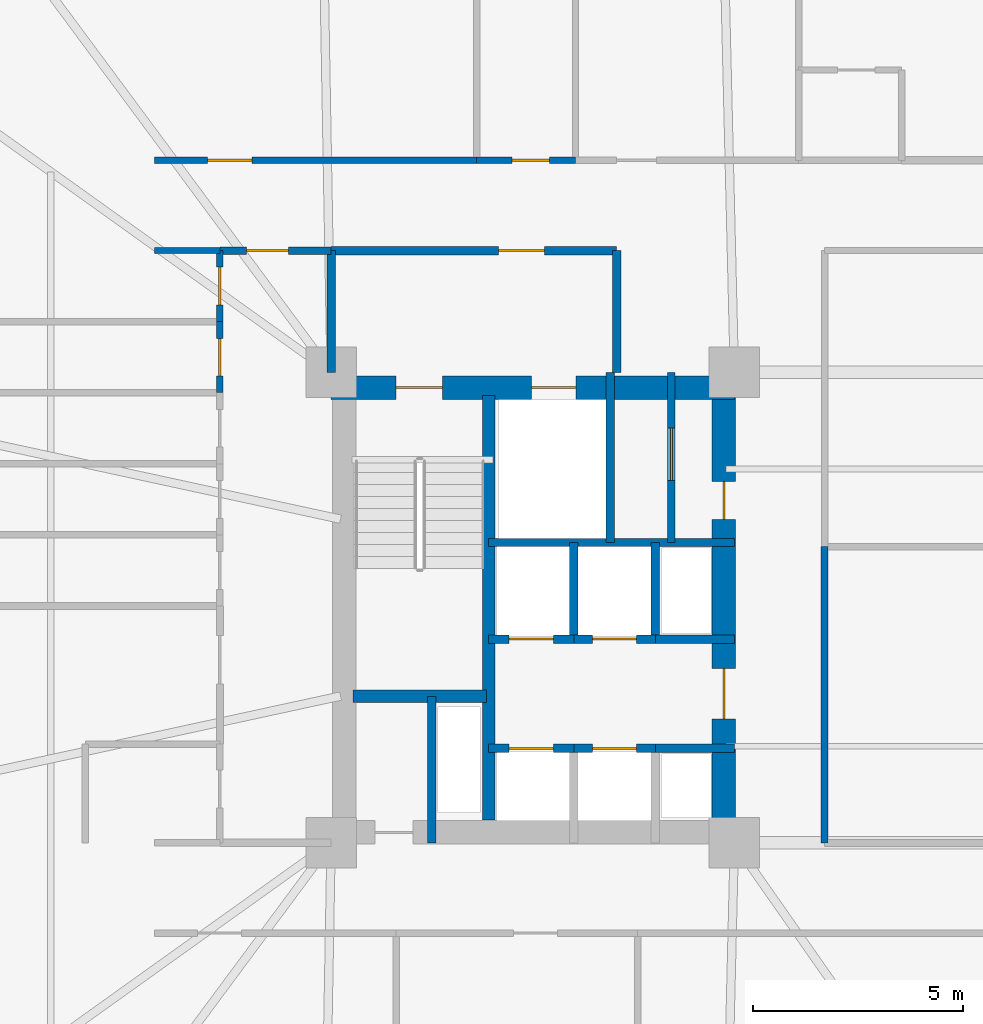
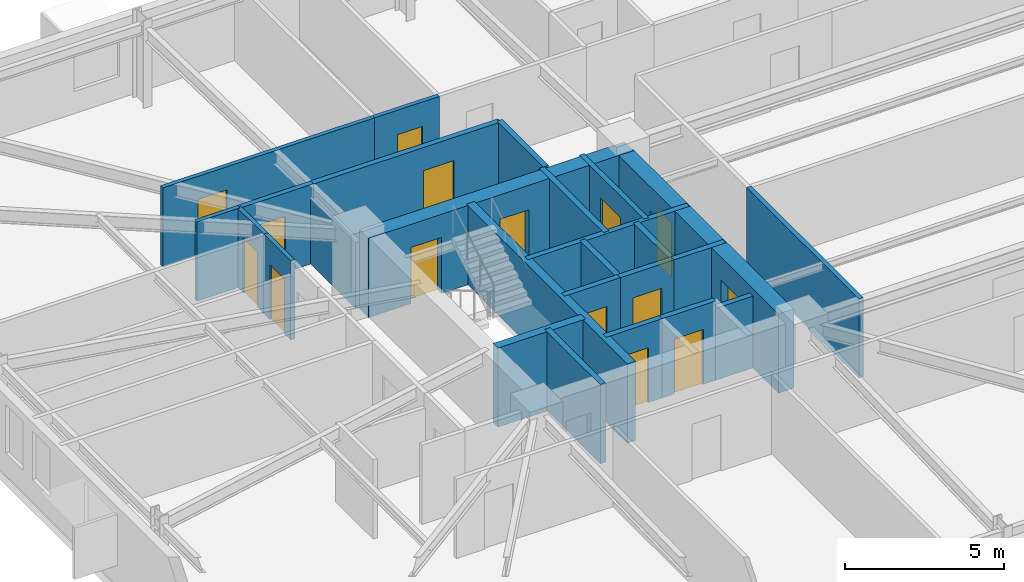
# One storey, part 19 of 24: 26 walls, 15 doors, 15 openings.
"""IFC4 building model written with IfcOpenShell, lengths in metres."""

from ifc_helpers import new_model, si_unit, direction, frame, frame_2d, origin, place, context, subcontext, project, spatial, rectangle, extrude, material, layer, layer_set, type_object, element, fill, save


model = new_model("IFC4")

# Units and contexts
model_context = context("Model", 3, precision=1e-05, world=origin(), true_north=direction((0.0, 1.0)))
body_context = subcontext(model_context, "Body", "Model", "MODEL_VIEW")
ifc_project = project(units=[si_unit("LENGTHUNIT", "METRE"), si_unit("AREAUNIT", "SQUARE_METRE"), si_unit("VOLUMEUNIT", "CUBIC_METRE"), si_unit("PLANEANGLEUNIT", "RADIAN"), si_unit("MASSUNIT", "GRAM", prefix="KILO")], contexts=[model_context])

# Site, building, storey
site_placement = place(None, origin())
site = spatial("IfcSite", under=ifc_project, at=site_placement, CompositionType="ELEMENT")
building_placement = place(site_placement, origin())
building = spatial("IfcBuilding", under=site, at=building_placement, Name="Qobustan Lattice House", CompositionType="ELEMENT")
storey_placement = place(building_placement, frame((0.0, 0.0, 50.449951171875)))
storey = spatial("IfcBuildingStorey", under=building, at=storey_placement, Name="L13", CompositionType="ELEMENT", Elevation=50.449951171875)

# Wall, openings, doors
ifc_material_1 = material(Name="Concrete C60/75", Category="concrete")
ifc_layer_1 = layer(ifc_material_1, 0.56005859375)
ifc_layer_set_1 = layer_set([ifc_layer_1], Name="Concrete C60/75")
wall_type_1 = type_object("IfcWallType", Name="WAL-CORE-600", PredefinedType="SHEAR", material=ifc_layer_set_1)
wall_1_placement = place(storey_placement, frame((-18.800048828125, 5.239990234375, 0.0), z_axis=(0.0, 0.0, 1.0), x_axis=(1.0, 0.0, 0.0)))
wall_1 = element("IfcWall", 1, at=wall_1_placement, inside=storey, type_object=wall_type_1, Name="L13 split-core shear wall CW-N", PredefinedType="SHEAR", context=body_context, shape_type="SweptSolid", body=[
    extrude(rectangle(XDim=9.60009765625, YDim=0.56005859375, at=frame_2d((4.800048828125, 0.0))), origin(), (0.0, 0.0, 1.0), 3.03515625),
])
opening_1_placement = place(wall_1_placement, frame((1.550048828125, 0.0, 0.0)))
opening_1 = element("IfcOpeningElement", 2, at=opening_1_placement, cuts=wall_1, Name="Opening SD-01", PredefinedType="OPENING", context=body_context, shape_type="SweptSolid", body=[
    extrude(rectangle(XDim=1.10009765625, YDim=2.14990234375, at=frame_2d((0.550048828125, 1.074951171875))), frame((0.0, 0.2900390625, 0.0), z_axis=(0.0, -1.0, 0.0), x_axis=(1.0, 0.0, 0.0)), (0.0, 0.0, 1.0), 0.580078125),
])
opening_2_placement = place(wall_1_placement, frame((4.77490234375, 0.0, 0.0)))
opening_2 = element("IfcOpeningElement", 3, at=opening_2_placement, cuts=wall_1, Name="Opening LD-01", PredefinedType="OPENING", context=body_context, shape_type="SweptSolid", body=[
    extrude(rectangle(XDim=1.050048828125, YDim=2.10009765625, at=frame_2d((0.52490234375, 1.050048828125))), frame((0.0, 0.2900390625, 0.0), z_axis=(0.0, -1.0, 0.0), x_axis=(1.0, 0.0, 0.0)), (0.0, 0.0, 1.0), 0.580078125),
])
ifc_material_2 = material(Name="Persian walnut timber and steel frame door", Category="steel")
door_type_1 = type_object("IfcDoorType", Name="DOR-LIFT-LD-1050x2100", OperationType="NOTDEFINED", PredefinedType="DOOR", material=ifc_material_2)
door_1_placement = place(opening_2_placement, origin())
door_1 = element("IfcDoor", 4, at=door_1_placement, inside=storey, type_object=door_type_1, Name="L13 firefighting lift FF-W landing door", OperationType="DOUBLE_DOOR_SLIDING", OverallHeight=2.10009765625, OverallWidth=1.050048828125, PredefinedType="DOOR", context=body_context, shape_type="SweptSolid", body=[
    extrude(rectangle(XDim=1.050048828125, YDim=2.10009765625, at=frame_2d((0.52490234375, 1.050048828125))), frame((0.0, 0.02490234375, 0.0), z_axis=(0.0, -1.0, 0.0), x_axis=(1.0, 0.0, 0.0)), (0.0, 0.0, 1.0), 0.050048828125),
])
fill(opening_2, door_1)
ifc_material_3 = material(Name="Persian walnut timber and steel frame door", Category="steel")
door_type_2 = type_object("IfcDoorType", Name="DOR-STAIR-FD-1100x2150", OperationType="NOTDEFINED", PredefinedType="DOOR", material=ifc_material_3)
door_2_placement = place(opening_1_placement, origin())
door_2 = element("IfcDoor", 5, at=door_2_placement, inside=storey, type_object=door_type_2, Name="L13 exit stair ST-W1 fire door", OperationType="SINGLE_SWING_RIGHT", OverallHeight=2.14990234375, OverallWidth=1.10009765625, PredefinedType="DOOR", context=body_context, shape_type="SweptSolid", body=[
    extrude(rectangle(XDim=1.10009765625, YDim=2.14990234375, at=frame_2d((0.550048828125, 1.074951171875))), frame((0.0, 0.02490234375, 0.0), z_axis=(0.0, -1.0, 0.0), x_axis=(1.0, 0.0, 0.0)), (0.0, 0.0, 1.0), 0.050048828125),
])
fill(opening_1, door_2)

wall_2_placement = place(storey_placement, frame((-9.449951171875, -5.050048828125, 0.0), z_axis=(0.0, 0.0, 1.0), x_axis=(0.0, 1.0, 0.0)))
wall_2 = element("IfcWall", 6, at=wall_2_placement, inside=storey, type_object=wall_type_1, Name="L13 split-core shear wall CW-E", PredefinedType="SHEAR", context=body_context, shape_type="SweptSolid", body=[
    extrude(rectangle(XDim=10.10009765625, YDim=0.56005859375, at=frame_2d((5.050048828125, 0.0))), origin(), (0.0, 0.0, 1.0), 3.03515625),
])
opening_3_placement = place(wall_2_placement, frame((7.14990234375, 0.0, 0.0)))
opening_3 = element("IfcOpeningElement", 7, at=opening_3_placement, cuts=wall_2, Name="Opening RD-01", PredefinedType="OPENING", context=body_context, shape_type="SweptSolid", body=[
    extrude(rectangle(XDim=0.89990234375, YDim=2.10009765625, at=frame_2d((0.449951171875, 1.050048828125))), frame((0.0, 0.2900390625, 0.0), z_axis=(0.0, -1.0, 0.0), x_axis=(1.0, 0.0, 0.0)), (0.0, 0.0, 1.0), 0.580078125),
])
opening_4_placement = place(wall_2_placement, frame((2.39990234375, 0.0, 0.0)))
opening_4 = element("IfcOpeningElement", 8, at=opening_4_placement, cuts=wall_2, Name="Opening FD-01", PredefinedType="OPENING", context=body_context, shape_type="SweptSolid", body=[
    extrude(rectangle(XDim=1.199951171875, YDim=2.14990234375, at=frame_2d((0.60009765625, 1.074951171875))), frame((0.0, 0.2900390625, 0.0), z_axis=(0.0, -1.0, 0.0), x_axis=(1.0, 0.0, 0.0)), (0.0, 0.0, 1.0), 0.580078125),
])
ifc_material_4 = material(Name="Persian walnut timber and steel frame door", Category="steel")
door_type_3 = type_object("IfcDoorType", Name="DOR-LOBBY-FD-1200x2150", OperationType="NOTDEFINED", PredefinedType="DOOR", material=ifc_material_4)
door_3_placement = place(opening_4_placement, origin())
door_3 = element("IfcDoor", 9, at=door_3_placement, inside=storey, type_object=door_type_3, Name="L13 West passenger lift lobby fire door", OperationType="SINGLE_SWING_LEFT", OverallHeight=2.14990234375, OverallWidth=1.199951171875, PredefinedType="DOOR", context=body_context, shape_type="SweptSolid", body=[
    extrude(rectangle(XDim=1.199951171875, YDim=2.14990234375, at=frame_2d((0.60009765625, 1.074951171875))), frame((0.0, 0.02490234375, 0.0), z_axis=(0.0, -1.0, 0.0), x_axis=(1.0, 0.0, 0.0)), (0.0, 0.0, 1.0), 0.050048828125),
])
fill(opening_4, door_3)
ifc_material_5 = material(Name="Persian walnut timber and steel frame door", Category="steel")
door_type_4 = type_object("IfcDoorType", Name="DOR-RISER-FD-900x2100", OperationType="NOTDEFINED", PredefinedType="DOOR", material=ifc_material_5)
door_4_placement = place(opening_3_placement, origin())
door_4 = element("IfcDoor", 10, at=door_4_placement, inside=storey, type_object=door_type_4, Name="L13 Data comms closet fire door", OperationType="SINGLE_SWING_RIGHT", OverallHeight=2.10009765625, OverallWidth=0.89990234375, PredefinedType="DOOR", context=body_context, shape_type="SweptSolid", body=[
    extrude(rectangle(XDim=0.89990234375, YDim=2.10009765625, at=frame_2d((0.449951171875, 1.050048828125))), frame((0.0, 0.02490234375, 0.0), z_axis=(0.0, -1.0, 0.0), x_axis=(1.0, 0.0, 0.0)), (0.0, 0.0, 1.0), 0.050048828125),
])
fill(opening_3, door_4)

# Walls
ifc_material_6 = material(Name="Concrete C50/60", Category="concrete")
ifc_layer_2 = layer(ifc_material_6, 0.280029296875)
ifc_layer_set_2 = layer_set([ifc_layer_2], Name="Concrete C50/60")
wall_type_2 = type_object("IfcWallType", Name="WAL-CORE-SPINE-280", PredefinedType="SHEAR", material=ifc_layer_set_2)
wall_3_placement = place(storey_placement, frame((-15.050048828125, -5.050048828125, 0.0), z_axis=(0.0, 0.0, 1.0), x_axis=(0.0, 1.0, 0.0)))
element("IfcWall", 11, at=wall_3_placement, inside=storey, type_object=wall_type_2, Name="L13 split-core shear wall CW-M", PredefinedType="SHEAR", context=body_context, shape_type="SweptSolid", body=[
    extrude(rectangle(XDim=10.10009765625, YDim=0.300048828125, at=frame_2d((5.050048828125, 0.0))), origin(), (0.0, 0.0, 1.0), 3.03515625),
])
wall_4_placement = place(storey_placement, frame((-18.280029296875, -2.110107421875, 0.0), z_axis=(0.0, 0.0, 1.0), x_axis=(1.0, 0.0, 0.0)))
element("IfcWall", 12, at=wall_4_placement, inside=storey, type_object=wall_type_2, Name="L13 split-core shear wall CW-ST", PredefinedType="SHEAR", context=body_context, shape_type="SweptSolid", body=[
    extrude(rectangle(XDim=3.179931640625, YDim=0.300048828125, at=frame_2d((1.58984375, 0.0))), origin(), (0.0, 0.0, 1.0), 3.03515625),
])

# Wall, opening, door
ifc_material_7 = material(Name="Gypsum fireboard acoustic partition", Category="gypsum")
ifc_layer_3 = layer(ifc_material_7, 0.179931640625)
ifc_layer_set_3 = layer_set([ifc_layer_3], Name="Gypsum fireboard acoustic partition")
wall_type_3 = type_object("IfcWallType", Name="WAL-FIRE-180", PredefinedType="PARTITIONING", material=ifc_layer_set_3)
wall_5_placement = place(storey_placement, frame((-10.699951171875, 5.60009765625, 0.0), z_axis=(0.0, 0.0, 1.0), x_axis=(0.0, -1.0, 0.0)))
wall_5 = element("IfcWall", 13, at=wall_5_placement, inside=storey, type_object=wall_type_3, Name="L13 interior partition 6", PredefinedType="PARTITIONING", context=body_context, shape_type="SweptSolid", body=[
    extrude(rectangle(XDim=4.050048828125, YDim=0.179931640625, at=frame_2d((2.02490234375, 0.0))), origin(), (0.0, 0.0, 1.0), 3.03515625),
])
opening_5_placement = place(wall_5_placement, frame((1.324951171875, 0.0, 0.0)))
opening_5 = element("IfcOpeningElement", 14, at=opening_5_placement, cuts=wall_5, Name="Opening FD-03", PredefinedType="OPENING", context=body_context, shape_type="SweptSolid", body=[
    extrude(rectangle(XDim=1.25, YDim=2.199951171875, at=frame_2d((0.625, 1.10009765625))), frame((0.0, 0.099853515625, 0.0), z_axis=(0.0, -1.0, 0.0), x_axis=(1.0, 0.0, 0.0)), (0.0, 0.0, 1.0), 0.199951171875),
])
ifc_material_8 = material(Name="Persian walnut timber and steel frame door", Category="steel")
door_type_5 = type_object("IfcDoorType", Name="DOR-PLANT-1250x2200", OperationType="NOTDEFINED", PredefinedType="DOOR", material=ifc_material_8)
door_5_placement = place(opening_5_placement, origin())
door_5 = element("IfcDoor", 15, at=door_5_placement, inside=storey, type_object=door_type_5, Name="L13 Data comms closet to Linen store door", OperationType="SINGLE_SWING_LEFT", OverallHeight=2.199951171875, OverallWidth=1.25, PredefinedType="DOOR", context=body_context, shape_type="SweptSolid", body=[
    extrude(rectangle(XDim=1.25, YDim=2.199951171875, at=frame_2d((0.625, 1.10009765625))), frame((0.0, 0.02490234375, 0.0), z_axis=(0.0, -1.0, 0.0), x_axis=(1.0, 0.0, 0.0)), (0.0, 0.0, 1.0), 0.050048828125),
])
fill(opening_5, door_5)

wall_6_placement = place(storey_placement, frame((-18.800048828125, 8.5, 0.0), z_axis=(0.0, 0.0, 1.0), x_axis=(-1.0, 0.0, 0.0)))
wall_6 = element("IfcWall", 16, at=wall_6_placement, inside=storey, type_object=wall_type_3, Name="L13 interior partition 38", PredefinedType="PARTITIONING", context=body_context, shape_type="SweptSolid", body=[
    extrude(rectangle(XDim=2.64990234375, YDim=0.179931640625, at=frame_2d((1.324951171875, 0.0))), origin(), (0.0, 0.0, 1.0), 3.03515625),
])
opening_6_placement = place(wall_6_placement, frame((1.0087890625, 0.0, 0.0)))
opening_6 = element("IfcOpeningElement", 17, at=opening_6_placement, cuts=wall_6, Name="Opening FD-02", PredefinedType="OPENING", context=body_context, shape_type="SweptSolid", body=[
    extrude(rectangle(XDim=1.0, YDim=2.14990234375, at=frame_2d((0.5, 1.074951171875))), frame((0.0, 0.099853515625, 0.0), z_axis=(0.0, -1.0, 0.0), x_axis=(1.0, 0.0, 0.0)), (0.0, 0.0, 1.0), 0.199951171875),
])
ifc_material_9 = material(Name="Persian walnut timber and steel frame door", Category="steel")
door_type_6 = type_object("IfcDoorType", Name="DOR-UNIT-FD-1000x2150", OperationType="NOTDEFINED", PredefinedType="DOOR", material=ifc_material_9)
door_6_placement = place(opening_6_placement, origin())
door_6 = element("IfcDoor", 18, at=door_6_placement, inside=storey, type_object=door_type_6, Name="L13 North-west floor corridor to Residence entrance hall L13W door", OperationType="SINGLE_SWING_RIGHT", OverallHeight=2.14990234375, OverallWidth=1.0, PredefinedType="DOOR", context=body_context, shape_type="SweptSolid", body=[
    extrude(rectangle(XDim=1.0, YDim=2.14990234375, at=frame_2d((0.5, 1.074951171875))), frame((0.0, 0.02490234375, 0.0), z_axis=(0.0, -1.0, 0.0), x_axis=(1.0, 0.0, 0.0)), (0.0, 0.0, 1.0), 0.050048828125),
])
fill(opening_6, door_6)

# Wall
ifc_material_10 = material(Name="Acoustic twin-stud gypsum partition", Category="gypsum")
ifc_layer_4 = layer(ifc_material_10, 0.14990234375)
ifc_layer_set_4 = layer_set([ifc_layer_4], Name="Acoustic twin-stud gypsum partition")
wall_type_4 = type_object("IfcWallType", Name="WAL-PART-150", PredefinedType="PARTITIONING", material=ifc_layer_set_4)
wall_7_placement = place(storey_placement, frame((-21.449951171875, 8.5, 0.0), z_axis=(0.0, 0.0, 1.0), x_axis=(-1.0, 0.0, 0.0)))
element("IfcWall", 19, at=wall_7_placement, inside=storey, type_object=wall_type_4, Name="L13 interior partition 39", PredefinedType="PARTITIONING", context=body_context, shape_type="SweptSolid", body=[
    extrude(rectangle(XDim=1.550048828125, YDim=0.14990234375, at=frame_2d((0.77490234375, 0.0))), origin(), (0.0, 0.0, 1.0), 3.03515625),
])

# Wall, opening, door
wall_8_placement = place(storey_placement, frame((-23.0, 10.64990234375, 0.0), z_axis=(0.0, 0.0, 1.0), x_axis=(1.0, 0.0, 0.0)))
wall_8 = element("IfcWall", 20, at=wall_8_placement, inside=storey, type_object=wall_type_4, Name="L13 interior partition 40", PredefinedType="PARTITIONING", context=body_context, shape_type="SweptSolid", body=[
    extrude(rectangle(XDim=7.6669921875, YDim=0.14990234375, at=frame_2d((3.83349609375, 0.0))), origin(), (0.0, 0.0, 1.0), 3.03515625),
])
opening_7_placement = place(wall_8_placement, frame((1.26220703125, 0.0, 0.0)))
opening_7 = element("IfcOpeningElement", 21, at=opening_7_placement, cuts=wall_8, Name="Opening ID-02", PredefinedType="OPENING", context=body_context, shape_type="SweptSolid", body=[
    extrude(rectangle(XDim=1.050048828125, YDim=2.14990234375, at=frame_2d((0.52490234375, 1.074951171875))), frame((0.0, 0.0849609375, 0.0), z_axis=(0.0, -1.0, 0.0), x_axis=(1.0, 0.0, 0.0)), (0.0, 0.0, 1.0), 0.169921875),
])
ifc_material_11 = material(Name="Persian walnut timber and steel frame door", Category="steel")
door_type_7 = type_object("IfcDoorType", Name="DOR-STUDY-1050x2150", OperationType="NOTDEFINED", PredefinedType="DOOR", material=ifc_material_11)
door_7_placement = place(opening_7_placement, origin())
door_7 = element("IfcDoor", 22, at=door_7_placement, inside=storey, type_object=door_type_7, Name="L13 North-west floor corridor to Focus study room N1 door", OperationType="SINGLE_SWING_LEFT", OverallHeight=2.14990234375, OverallWidth=1.050048828125, PredefinedType="DOOR", context=body_context, shape_type="SweptSolid", body=[
    extrude(rectangle(XDim=1.050048828125, YDim=2.14990234375, at=frame_2d((0.52490234375, 1.074951171875))), frame((0.0, 0.02490234375, 0.0), z_axis=(0.0, -1.0, 0.0), x_axis=(1.0, 0.0, 0.0)), (0.0, 0.0, 1.0), 0.050048828125),
])
fill(opening_7, door_7)

wall_9_placement = place(storey_placement, frame((-21.449951171875, 5.115966796875, 0.0), z_axis=(0.0, 0.0, 1.0), x_axis=(0.0, 1.0, 0.0)))
wall_9 = element("IfcWall", 23, at=wall_9_placement, inside=storey, type_object=wall_type_4, Name="L13 interior partition 75", PredefinedType="PARTITIONING", context=body_context, shape_type="SweptSolid", body=[
    extrude(rectangle(XDim=1.692138671875, YDim=0.14990234375, at=frame_2d((0.84619140625, 0.0))), origin(), (0.0, 0.0, 1.0), 3.03515625),
])
opening_8_placement = place(wall_9_placement, frame((0.39599609375, 0.0, 0.0)))
opening_8 = element("IfcOpeningElement", 24, at=opening_8_placement, cuts=wall_9, Name="Opening WD-01", PredefinedType="OPENING", context=body_context, shape_type="SweptSolid", body=[
    extrude(rectangle(XDim=0.89990234375, YDim=2.10009765625, at=frame_2d((0.449951171875, 1.050048828125))), frame((0.0, 0.0849609375, 0.0), z_axis=(0.0, -1.0, 0.0), x_axis=(1.0, 0.0, 0.0)), (0.0, 0.0, 1.0), 0.169921875),
])
ifc_material_12 = material(Name="Persian walnut timber and steel frame door", Category="steel")
door_type_8 = type_object("IfcDoorType", Name="DOR-WET-900x2100", OperationType="NOTDEFINED", PredefinedType="DOOR", material=ifc_material_12)
door_8_placement = place(opening_8_placement, origin())
door_8 = element("IfcDoor", 25, at=door_8_placement, inside=storey, type_object=door_type_8, Name="L13 Residence entrance hall L13W to Cluster bedroom L13W4 door", OperationType="SINGLE_SWING_RIGHT", OverallHeight=2.10009765625, OverallWidth=0.89990234375, PredefinedType="DOOR", context=body_context, shape_type="SweptSolid", body=[
    extrude(rectangle(XDim=0.89990234375, YDim=2.10009765625, at=frame_2d((0.449951171875, 1.050048828125))), frame((0.0, 0.02490234375, 0.0), z_axis=(0.0, -1.0, 0.0), x_axis=(1.0, 0.0, 0.0)), (0.0, 0.0, 1.0), 0.050048828125),
])
fill(opening_8, door_8)

wall_10_placement = place(storey_placement, frame((-21.449951171875, 6.80810546875, 0.0), z_axis=(0.0, 0.0, 1.0), x_axis=(0.0, 1.0, 0.0)))
wall_10 = element("IfcWall", 26, at=wall_10_placement, inside=storey, type_object=wall_type_4, Name="L13 interior partition 76", PredefinedType="PARTITIONING", context=body_context, shape_type="SweptSolid", body=[
    extrude(rectangle(XDim=1.69189453125, YDim=0.14990234375, at=frame_2d((0.845947265625, 0.0))), origin(), (0.0, 0.0, 1.0), 3.03515625),
])
opening_9_placement = place(wall_10_placement, frame((0.39599609375, 0.0, 0.0)))
opening_9 = element("IfcOpeningElement", 27, at=opening_9_placement, cuts=wall_10, Name="Opening WD-01", PredefinedType="OPENING", context=body_context, shape_type="SweptSolid", body=[
    extrude(rectangle(XDim=0.89990234375, YDim=2.10009765625, at=frame_2d((0.449951171875, 1.050048828125))), frame((0.0, 0.0849609375, 0.0), z_axis=(0.0, -1.0, 0.0), x_axis=(1.0, 0.0, 0.0)), (0.0, 0.0, 1.0), 0.169921875),
])
door_9_placement = place(opening_9_placement, origin())
door_9 = element("IfcDoor", 28, at=door_9_placement, inside=storey, type_object=door_type_8, Name="L13 Residence entrance hall L13W to Cluster bedroom L13W5 door", OperationType="SINGLE_SWING_LEFT", OverallHeight=2.10009765625, OverallWidth=0.89990234375, PredefinedType="DOOR", context=body_context, shape_type="SweptSolid", body=[
    extrude(rectangle(XDim=0.89990234375, YDim=2.10009765625, at=frame_2d((0.449951171875, 1.050048828125))), frame((0.0, 0.02490234375, 0.0), z_axis=(0.0, -1.0, 0.0), x_axis=(1.0, 0.0, 0.0)), (0.0, 0.0, 1.0), 0.050048828125),
])
fill(opening_9, door_9)

# Wall
ifc_material_13 = material(Name="High-mass acoustic twin-stud partition", Category="gypsum")
ifc_layer_5 = layer(ifc_material_13, 0.1650390625)
ifc_layer_set_5 = layer_set([ifc_layer_5], Name="High-mass acoustic twin-stud partition")
wall_type_5 = type_object("IfcWallType", Name="WAL-PART-165", PredefinedType="PARTITIONING", material=ifc_layer_set_5)
wall_11_placement = place(storey_placement, frame((-7.050048828125, 1.449951171875, 0.0), z_axis=(0.0, 0.0, 1.0), x_axis=(0.0, -1.0, 0.0)))
element("IfcWall", 29, at=wall_11_placement, inside=storey, type_object=wall_type_5, Name="L13 interior partition 66", PredefinedType="PARTITIONING", context=body_context, shape_type="SweptSolid", body=[
    extrude(rectangle(XDim=7.050048828125, YDim=0.1650390625, at=frame_2d((3.52490234375, 0.0))), origin(), (0.0, 0.0, 1.0), 3.03515625),
])

# Wall, opening, door
ifc_material_14 = material(Name="Two-hour gypsum fireboard acoustic partition", Category="gypsum")
ifc_layer_6 = layer(ifc_material_14, 0.199951171875)
ifc_layer_set_6 = layer_set([ifc_layer_6], Name="Two-hour gypsum fireboard acoustic partition")
wall_type_6 = type_object("IfcWallType", Name="WAL-PROT-200", PredefinedType="PARTITIONING", material=ifc_layer_set_6)
wall_12_placement = place(storey_placement, frame((-12.0, 8.5, 0.0), z_axis=(0.0, 0.0, 1.0), x_axis=(-1.0, 0.0, 0.0)))
wall_12 = element("IfcWall", 30, at=wall_12_placement, inside=storey, type_object=wall_type_6, Name="L13 interior partition 3", PredefinedType="PARTITIONING", context=body_context, shape_type="SweptSolid", body=[
    extrude(rectangle(XDim=6.800048828125, YDim=0.199951171875, at=frame_2d((3.39990234375, 0.0))), origin(), (0.0, 0.0, 1.0), 3.03515625),
])
opening_10_placement = place(wall_12_placement, frame((1.715087890625, 0.0, 0.0)))
opening_10 = element("IfcOpeningElement", 31, at=opening_10_placement, cuts=wall_12, Name="Opening SD-01", PredefinedType="OPENING", context=body_context, shape_type="SweptSolid", body=[
    extrude(rectangle(XDim=1.10009765625, YDim=2.14990234375, at=frame_2d((0.550048828125, 1.074951171875))), frame((0.0, 0.10986328125, 0.0), z_axis=(0.0, -1.0, 0.0), x_axis=(1.0, 0.0, 0.0)), (0.0, 0.0, 1.0), 0.219970703125),
])
door_10_placement = place(opening_10_placement, origin())
door_10 = element("IfcDoor", 32, at=door_10_placement, inside=storey, type_object=door_type_2, Name="L13 West firefighting lift lobby to North-west floor corridor door", OperationType="SINGLE_SWING_RIGHT", OverallHeight=2.14990234375, OverallWidth=1.10009765625, PredefinedType="DOOR", context=body_context, shape_type="SweptSolid", body=[
    extrude(rectangle(XDim=1.10009765625, YDim=2.14990234375, at=frame_2d((0.550048828125, 1.074951171875))), frame((0.0, 0.02490234375, 0.0), z_axis=(0.0, -1.0, 0.0), x_axis=(1.0, 0.0, 0.0)), (0.0, 0.0, 1.0), 0.050048828125),
])
fill(opening_10, door_10)

# Walls
wall_13_placement = place(storey_placement, frame((-12.0, 5.60009765625, 0.0), z_axis=(0.0, 0.0, 1.0), x_axis=(0.0, 1.0, 0.0)))
element("IfcWall", 33, at=wall_13_placement, inside=storey, type_object=wall_type_6, Name="L13 interior partition 4", PredefinedType="PARTITIONING", context=body_context, shape_type="SweptSolid", body=[
    extrude(rectangle(XDim=2.89990234375, YDim=0.199951171875, at=frame_2d((1.449951171875, 0.0))), origin(), (0.0, 0.0, 1.0), 3.03515625),
])
wall_14_placement = place(storey_placement, frame((-18.800048828125, 8.5, 0.0), z_axis=(0.0, 0.0, 1.0), x_axis=(0.0, -1.0, 0.0)))
element("IfcWall", 34, at=wall_14_placement, inside=storey, type_object=wall_type_6, Name="L13 interior partition 5", PredefinedType="PARTITIONING", context=body_context, shape_type="SweptSolid", body=[
    extrude(rectangle(XDim=2.89990234375, YDim=0.199951171875, at=frame_2d((1.449951171875, 0.0))), origin(), (0.0, 0.0, 1.0), 2.52001953125),
])
ifc_material_15 = material(Name="Concrete C40/50", Category="concrete")
ifc_layer_7 = layer(ifc_material_15, 0.199951171875)
ifc_layer_set_7 = layer_set([ifc_layer_7], Name="Concrete C40/50")
wall_type_7 = type_object("IfcWallType", Name="WAL-SHAFT-200", PredefinedType="PARTITIONING", material=ifc_layer_set_7)
wall_15_placement = place(storey_placement, frame((-16.39990234375, -5.60009765625, 0.0), z_axis=(0.0, 0.0, 1.0), x_axis=(0.0, 1.0, 0.0)))
element("IfcWall", 35, at=wall_15_placement, inside=storey, type_object=wall_type_7, Name="L13 interior partition 1", PredefinedType="PARTITIONING", context=body_context, shape_type="SweptSolid", body=[
    extrude(rectangle(XDim=3.489990234375, YDim=0.199951171875, at=frame_2d((1.7451171875, 0.0))), origin(), (0.0, 0.0, 1.0), 3.03515625),
])
wall_16_placement = place(storey_placement, frame((-12.14990234375, 1.550048828125, 0.0), z_axis=(0.0, 0.0, 1.0), x_axis=(0.0, 1.0, 0.0)))
element("IfcWall", 36, at=wall_16_placement, inside=storey, type_object=wall_type_7, Name="L13 interior partition 2", PredefinedType="PARTITIONING", context=body_context, shape_type="SweptSolid", body=[
    extrude(rectangle(XDim=4.050048828125, YDim=0.199951171875, at=frame_2d((2.02490234375, 0.0))), origin(), (0.0, 0.0, 1.0), 3.03515625),
])

# Wall, opening, door
wall_17_placement = place(storey_placement, frame((-15.050048828125, -3.35009765625, 0.0), z_axis=(0.0, 0.0, 1.0), x_axis=(1.0, 0.0, 0.0)))
wall_17 = element("IfcWall", 37, at=wall_17_placement, inside=storey, type_object=wall_type_7, Name="L13 interior partition 8", PredefinedType="PARTITIONING", context=body_context, shape_type="SweptSolid", body=[
    extrude(rectangle(XDim=2.030029296875, YDim=0.199951171875, at=frame_2d((1.01513671875, 0.0))), origin(), (0.0, 0.0, 1.0), 3.03515625),
])
opening_11_placement = place(wall_17_placement, frame((0.489990234375, 0.0, 0.0)))
opening_11 = element("IfcOpeningElement", 38, at=opening_11_placement, cuts=wall_17, Name="Opening LD-01", PredefinedType="OPENING", context=body_context, shape_type="SweptSolid", body=[
    extrude(rectangle(XDim=1.050048828125, YDim=2.10009765625, at=frame_2d((0.52490234375, 1.050048828125))), frame((0.0, 0.10986328125, 0.0), z_axis=(0.0, -1.0, 0.0), x_axis=(1.0, 0.0, 0.0)), (0.0, 0.0, 1.0), 0.219970703125),
])
door_11_placement = place(opening_11_placement, origin())
door_11 = element("IfcDoor", 39, at=door_11_placement, inside=storey, type_object=door_type_1, Name="L13 lift landing door", OperationType="DOUBLE_DOOR_SLIDING", OverallHeight=2.10009765625, OverallWidth=1.050048828125, PredefinedType="DOOR", context=body_context, shape_type="SweptSolid", body=[
    extrude(rectangle(XDim=1.050048828125, YDim=2.10009765625, at=frame_2d((0.52490234375, 1.050048828125))), frame((0.0, 0.02490234375, 0.0), z_axis=(0.0, -1.0, 0.0), x_axis=(1.0, 0.0, 0.0)), (0.0, 0.0, 1.0), 0.050048828125),
])
fill(opening_11, door_11)

wall_18_placement = place(storey_placement, frame((-13.02001953125, -3.35009765625, 0.0), z_axis=(0.0, 0.0, 1.0), x_axis=(1.0, 0.0, 0.0)))
wall_18 = element("IfcWall", 40, at=wall_18_placement, inside=storey, type_object=wall_type_7, Name="L13 interior partition 9", PredefinedType="PARTITIONING", context=body_context, shape_type="SweptSolid", body=[
    extrude(rectangle(XDim=1.93994140625, YDim=0.199951171875, at=frame_2d((0.969970703125, 0.0))), origin(), (0.0, 0.0, 1.0), 3.03515625),
])
opening_12_placement = place(wall_18_placement, frame((0.445068359375, 0.0, 0.0)))
opening_12 = element("IfcOpeningElement", 41, at=opening_12_placement, cuts=wall_18, Name="Opening LD-01", PredefinedType="OPENING", context=body_context, shape_type="SweptSolid", body=[
    extrude(rectangle(XDim=1.050048828125, YDim=2.10009765625, at=frame_2d((0.52490234375, 1.050048828125))), frame((0.0, 0.10986328125, 0.0), z_axis=(0.0, -1.0, 0.0), x_axis=(1.0, 0.0, 0.0)), (0.0, 0.0, 1.0), 0.219970703125),
])
door_12_placement = place(opening_12_placement, origin())
door_12 = element("IfcDoor", 42, at=door_12_placement, inside=storey, type_object=door_type_1, Name="L13 lift landing door", OperationType="DOUBLE_DOOR_SLIDING", OverallHeight=2.10009765625, OverallWidth=1.050048828125, PredefinedType="DOOR", context=body_context, shape_type="SweptSolid", body=[
    extrude(rectangle(XDim=1.050048828125, YDim=2.10009765625, at=frame_2d((0.52490234375, 1.050048828125))), frame((0.0, 0.02490234375, 0.0), z_axis=(0.0, -1.0, 0.0), x_axis=(1.0, 0.0, 0.0)), (0.0, 0.0, 1.0), 0.050048828125),
])
fill(opening_12, door_12)

# Wall
wall_19_placement = place(storey_placement, frame((-11.080078125, -3.35009765625, 0.0), z_axis=(0.0, 0.0, 1.0), x_axis=(1.0, 0.0, 0.0)))
element("IfcWall", 43, at=wall_19_placement, inside=storey, type_object=wall_type_7, Name="L13 interior partition 10", PredefinedType="PARTITIONING", context=body_context, shape_type="SweptSolid", body=[
    extrude(rectangle(XDim=1.880126953125, YDim=0.199951171875, at=frame_2d((0.93994140625, 0.0))), origin(), (0.0, 0.0, 1.0), 2.75),
])

# Wall, opening, door
wall_20_placement = place(storey_placement, frame((-13.02001953125, -0.75, 0.0), z_axis=(0.0, 0.0, 1.0), x_axis=(-1.0, 0.0, 0.0)))
wall_20 = element("IfcWall", 44, at=wall_20_placement, inside=storey, type_object=wall_type_7, Name="L13 interior partition 11", PredefinedType="PARTITIONING", context=body_context, shape_type="SweptSolid", body=[
    extrude(rectangle(XDim=2.030029296875, YDim=0.199951171875, at=frame_2d((1.01513671875, 0.0))), origin(), (0.0, 0.0, 1.0), 3.03515625),
])
opening_13_placement = place(wall_20_placement, frame((0.489990234375, 0.0, 0.0)))
opening_13 = element("IfcOpeningElement", 45, at=opening_13_placement, cuts=wall_20, Name="Opening LD-01", PredefinedType="OPENING", context=body_context, shape_type="SweptSolid", body=[
    extrude(rectangle(XDim=1.050048828125, YDim=2.10009765625, at=frame_2d((0.52490234375, 1.050048828125))), frame((0.0, 0.10986328125, 0.0), z_axis=(0.0, -1.0, 0.0), x_axis=(1.0, 0.0, 0.0)), (0.0, 0.0, 1.0), 0.219970703125),
])
door_13_placement = place(opening_13_placement, origin())
door_13 = element("IfcDoor", 46, at=door_13_placement, inside=storey, type_object=door_type_1, Name="L13 lift landing door", OperationType="DOUBLE_DOOR_SLIDING", OverallHeight=2.10009765625, OverallWidth=1.050048828125, PredefinedType="DOOR", context=body_context, shape_type="SweptSolid", body=[
    extrude(rectangle(XDim=1.050048828125, YDim=2.10009765625, at=frame_2d((0.52490234375, 1.050048828125))), frame((0.0, 0.02490234375, 0.0), z_axis=(0.0, -1.0, 0.0), x_axis=(1.0, 0.0, 0.0)), (0.0, 0.0, 1.0), 0.050048828125),
])
fill(opening_13, door_13)

wall_21_placement = place(storey_placement, frame((-11.080078125, -0.75, 0.0), z_axis=(0.0, 0.0, 1.0), x_axis=(-1.0, 0.0, 0.0)))
wall_21 = element("IfcWall", 47, at=wall_21_placement, inside=storey, type_object=wall_type_7, Name="L13 interior partition 12", PredefinedType="PARTITIONING", context=body_context, shape_type="SweptSolid", body=[
    extrude(rectangle(XDim=1.93994140625, YDim=0.199951171875, at=frame_2d((0.969970703125, 0.0))), origin(), (0.0, 0.0, 1.0), 3.03515625),
])
opening_14_placement = place(wall_21_placement, frame((0.445068359375, 0.0, 0.0)))
opening_14 = element("IfcOpeningElement", 48, at=opening_14_placement, cuts=wall_21, Name="Opening LD-01", PredefinedType="OPENING", context=body_context, shape_type="SweptSolid", body=[
    extrude(rectangle(XDim=1.050048828125, YDim=2.10009765625, at=frame_2d((0.52490234375, 1.050048828125))), frame((0.0, 0.10986328125, 0.0), z_axis=(0.0, -1.0, 0.0), x_axis=(1.0, 0.0, 0.0)), (0.0, 0.0, 1.0), 0.219970703125),
])
door_14_placement = place(opening_14_placement, origin())
door_14 = element("IfcDoor", 49, at=door_14_placement, inside=storey, type_object=door_type_1, Name="L13 lift landing door", OperationType="DOUBLE_DOOR_SLIDING", OverallHeight=2.10009765625, OverallWidth=1.050048828125, PredefinedType="DOOR", context=body_context, shape_type="SweptSolid", body=[
    extrude(rectangle(XDim=1.050048828125, YDim=2.10009765625, at=frame_2d((0.52490234375, 1.050048828125))), frame((0.0, 0.02490234375, 0.0), z_axis=(0.0, -1.0, 0.0), x_axis=(1.0, 0.0, 0.0)), (0.0, 0.0, 1.0), 0.050048828125),
])
fill(opening_14, door_14)

# Walls
wall_22_placement = place(storey_placement, frame((-9.199951171875, -0.75, 0.0), z_axis=(0.0, 0.0, 1.0), x_axis=(-1.0, 0.0, 0.0)))
element("IfcWall", 50, at=wall_22_placement, inside=storey, type_object=wall_type_7, Name="L13 interior partition 13", PredefinedType="PARTITIONING", context=body_context, shape_type="SweptSolid", body=[
    extrude(rectangle(XDim=1.880126953125, YDim=0.199951171875, at=frame_2d((0.93994140625, 0.0))), origin(), (0.0, 0.0, 1.0), 3.03515625),
])
for number, where, z_axis, x_axis, name in (
    (51, (-13.02001953125, -0.75, 0.0), (0.0, 0.0, 1.0), (0.0, 1.0, 0.0), "L13 interior partition 17"),
    (52, (-11.080078125, -0.75, 0.0), (0.0, 0.0, 1.0), (0.0, 1.0, 0.0), "L13 interior partition 18"),
):
    element("IfcWall", number, at=place(storey_placement, frame(where, z_axis=z_axis, x_axis=x_axis)), inside=storey, type_object=wall_type_7, Name=name, PredefinedType="PARTITIONING", context=body_context, shape_type="SweptSolid", body=[
        extrude(rectangle(XDim=2.300048828125, YDim=0.199951171875, at=frame_2d((1.14990234375, 0.0))), origin(), (0.0, 0.0, 1.0), 3.03515625),
    ])
wall_23_placement = place(storey_placement, frame((-15.050048828125, 1.550048828125, 0.0), z_axis=(0.0, 0.0, 1.0), x_axis=(1.0, 0.0, 0.0)))
element("IfcWall", 53, at=wall_23_placement, inside=storey, type_object=wall_type_7, Name="L13 interior partition 119", PredefinedType="PARTITIONING", context=body_context, shape_type="SweptSolid", body=[
    extrude(rectangle(XDim=5.85009765625, YDim=0.199951171875, at=frame_2d((2.925048828125, 0.0))), origin(), (0.0, 0.0, 1.0), 3.03515625),
])

# Wall, opening, door
ifc_material_16 = material(Name="Moisture-resistant acoustic plumbing wall", Category="gypsum")
ifc_layer_8 = layer(ifc_material_16, 0.14990234375)
ifc_layer_set_8 = layer_set([ifc_layer_8], Name="Moisture-resistant acoustic plumbing wall")
wall_type_8 = type_object("IfcWallType", Name="WAL-WET-150", PredefinedType="PLUMBINGWALL", material=ifc_layer_set_8)
wall_24_placement = place(storey_placement, frame((-15.3330078125, 10.64990234375, 0.0), z_axis=(0.0, 0.0, 1.0), x_axis=(1.0, 0.0, 0.0)))
wall_24 = element("IfcWall", 54, at=wall_24_placement, inside=storey, type_object=wall_type_8, Name="L13 interior partition 41", PredefinedType="PLUMBINGWALL", context=body_context, shape_type="SweptSolid", body=[
    extrude(rectangle(XDim=2.35009765625, YDim=0.14990234375, at=frame_2d((1.175048828125, 0.0))), origin(), (0.0, 0.0, 1.0), 3.03515625),
])
opening_15_placement = place(wall_24_placement, frame((0.833740234375, 0.0, 0.0)))
opening_15 = element("IfcOpeningElement", 55, at=opening_15_placement, cuts=wall_24, Name="Opening WD-01", PredefinedType="OPENING", context=body_context, shape_type="SweptSolid", body=[
    extrude(rectangle(XDim=0.89990234375, YDim=2.10009765625, at=frame_2d((0.449951171875, 1.050048828125))), frame((0.0, 0.0849609375, 0.0), z_axis=(0.0, -1.0, 0.0), x_axis=(1.0, 0.0, 0.0)), (0.0, 0.0, 1.0), 0.169921875),
])
door_15_placement = place(opening_15_placement, origin())
door_15 = element("IfcDoor", 56, at=door_15_placement, inside=storey, type_object=door_type_8, Name="L13 North-west floor corridor to Accessible WC door", OperationType="SINGLE_SWING_RIGHT", OverallHeight=2.10009765625, OverallWidth=0.89990234375, PredefinedType="DOOR", context=body_context, shape_type="SweptSolid", body=[
    extrude(rectangle(XDim=0.89990234375, YDim=2.10009765625, at=frame_2d((0.449951171875, 1.050048828125))), frame((0.0, 0.02490234375, 0.0), z_axis=(0.0, -1.0, 0.0), x_axis=(1.0, 0.0, 0.0)), (0.0, 0.0, 1.0), 0.050048828125),
])
fill(opening_15, door_15)

save(model, "model.ifc")
